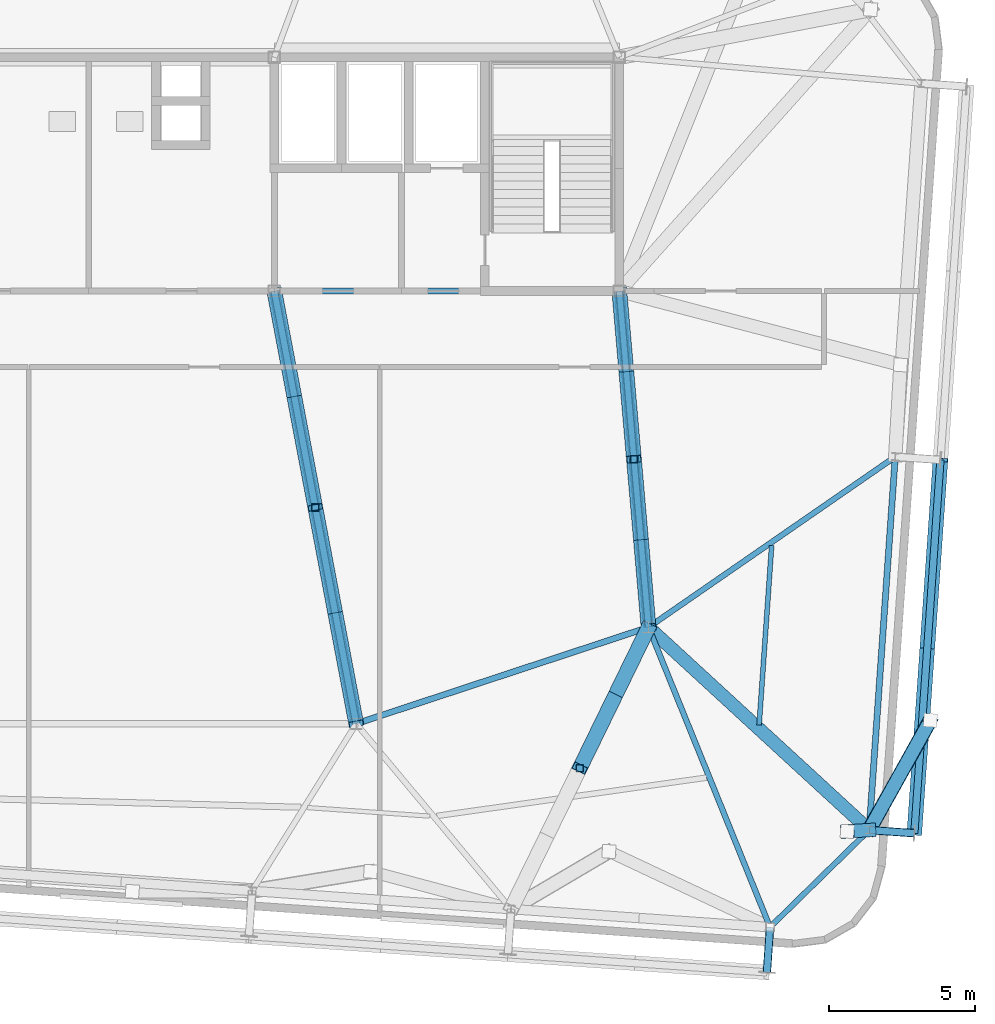
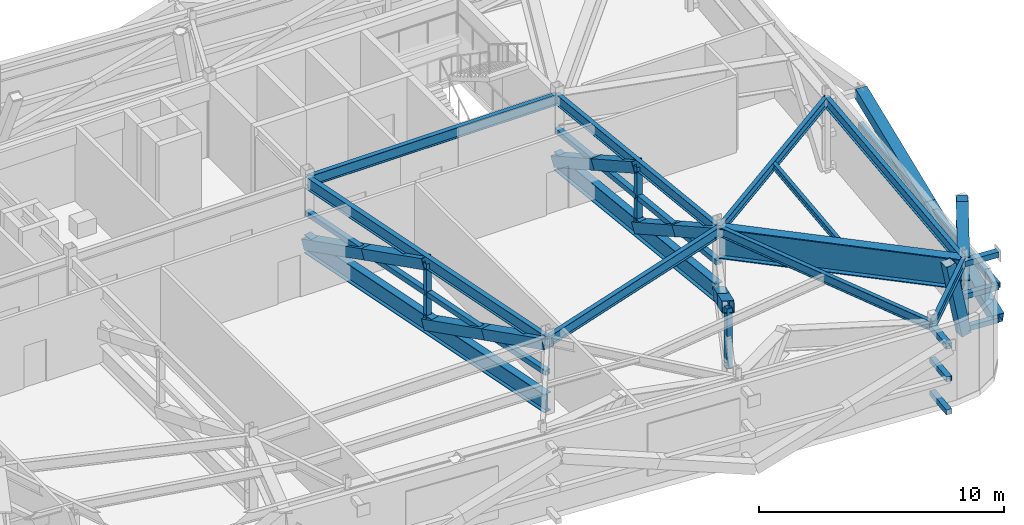
# One storey, part 10 of 24: 31 members, 11 beams.
"""IFC4 building model written with IfcOpenShell, lengths in metres."""

from ifc_helpers import new_model, si_unit, direction, frame, origin, origin_2d, place, context, subcontext, project, spatial, hollow_rectangle, i_section, extrude, source, transform, mapped, material, material_profile, profile_set, type_object, element, save


model = new_model("IFC4")

# Units and contexts
model_context = context("Model", 3, precision=1e-05, world=origin(), true_north=direction((0.0, 1.0)))
body_context = subcontext(model_context, "Body", "Model", "MODEL_VIEW")
ifc_project = project(units=[si_unit("LENGTHUNIT", "METRE"), si_unit("AREAUNIT", "SQUARE_METRE"), si_unit("VOLUMEUNIT", "CUBIC_METRE"), si_unit("PLANEANGLEUNIT", "RADIAN"), si_unit("MASSUNIT", "GRAM", prefix="KILO")], contexts=[model_context])

# Site, building, storey
site_placement = place(None, origin())
site = spatial("IfcSite", under=ifc_project, at=site_placement, CompositionType="ELEMENT")
building_placement = place(site_placement, origin())
building = spatial("IfcBuilding", under=site, at=building_placement, Name="Taldren Reach Tower", CompositionType="ELEMENT")
storey_placement = place(building_placement, frame((0.0, 0.0, 164.5)))
storey = spatial("IfcBuildingStorey", under=building, at=storey_placement, Name="L50", CompositionType="ELEMENT", Elevation=164.5)

# Beams
ifc_material_1 = material(Name="Steel Gr 350 (350PLUS)", Category="steel")
ifc_material_profile_1 = material_profile(ifc_material_1, i_section(OverallWidth=0.208984375, OverallDepth=0.532958984375, WebThickness=0.01025390625, FlangeThickness=0.015625, at=origin_2d()), Name="530UB92.4")
ifc_profile_set_1 = profile_set([ifc_material_profile_1], Name="Steel Gr 350 (350PLUS)")
beam_type_1 = type_object("IfcBeamType", Name="BM-UB530A", PredefinedType="BEAM", material=ifc_profile_set_1)
shared_shape_1 = source(origin(), body_context, "Body", "SweptSolid", [
    extrude(i_section(OverallWidth=0.208984375, OverallDepth=0.532958984375, WebThickness=0.01025390625, FlangeThickness=0.015625, at=origin_2d()), origin(), (0.0, 0.0, 1.0), 11.800048828125),
])
beam_1_placement = place(storey_placement, frame((39.199951171875, 24.0, 3.513427734375), z_axis=(1.0, 0.0, 0.0), x_axis=(0.0, 1.0, 0.0)))
element("IfcBeam", 1, at=beam_1_placement, inside=storey, type_object=beam_type_1, Name="Core-spine girder L50-SP03", PredefinedType="BEAM", context=body_context, shape_type="MappedRepresentation", body=[
    mapped(shared_shape_1, transform((0.0, 0.0, 0.0), scale=1.0)),
])
shared_shape_2 = source(origin(), body_context, "Body", "SweptSolid", [
    extrude(i_section(OverallWidth=0.208984375, OverallDepth=0.532958984375, WebThickness=0.01025390625, FlangeThickness=0.015625, at=origin_2d()), origin(), (0.0, 0.0, 1.0), 11.54345703125),
])
beam_2_placement = place(storey_placement, frame((52.0, 12.5, 3.513427734375), z_axis=(-0.086629616365, 0.996240588196, 0.0), x_axis=(-0.996240588196, -0.086629616365, 0.0)))
element("IfcBeam", 2, at=beam_2_placement, inside=storey, type_object=beam_type_1, Name="Core-spine girder L50-SP13", PredefinedType="BEAM", context=body_context, shape_type="MappedRepresentation", body=[
    mapped(shared_shape_2, transform((0.0, 0.0, 0.0), scale=1.0)),
])
shared_shape_3 = source(origin(), body_context, "Body", "SweptSolid", [
    extrude(i_section(OverallWidth=0.208984375, OverallDepth=0.532958984375, WebThickness=0.01025390625, FlangeThickness=0.015625, at=origin_2d()), origin(), (0.0, 0.0, 1.0), 10.530517578125),
])
beam_3_placement = place(storey_placement, frame((42.0, 9.199951171875, 3.513427734375), z_axis=(0.949627269203, 0.313381635689, 0.0), x_axis=(-0.313381635689, 0.949627269203, 0.0)))
element("IfcBeam", 3, at=beam_3_placement, inside=storey, type_object=beam_type_1, Name="Core-spine girder L50-SP12", PredefinedType="BEAM", context=body_context, shape_type="MappedRepresentation", body=[
    mapped(shared_shape_3, transform((0.0, 0.0, 0.0), scale=1.0)),
])
ifc_material_profile_2 = material_profile(ifc_material_1, i_section(OverallWidth=0.22802734375, OverallDepth=0.60205078125, WebThickness=0.010498046875, FlangeThickness=0.014892578125, at=origin_2d()), Name="610UB101")
ifc_profile_set_2 = profile_set([ifc_material_profile_2], Name="Steel Gr 350 (350PLUS)")
beam_type_2 = type_object("IfcBeamType", Name="BM-UB610B", PredefinedType="BEAM", material=ifc_profile_set_2)
shared_shape_4 = source(origin(), body_context, "Body", "SweptSolid", [
    extrude(i_section(OverallWidth=0.22802734375, OverallDepth=0.60205078125, WebThickness=0.010498046875, FlangeThickness=0.014892578125, at=origin_2d()), origin(), (0.0, 0.0, 1.0), 15.0625),
])
beam_4_placement = place(storey_placement, frame((39.199951171875, 24.0, 3.47900390625), z_axis=(0.185894205668, -0.982569765614, 0.0), x_axis=(0.982569765614, 0.185894205668, 0.0)))
element("IfcBeam", 4, at=beam_4_placement, inside=storey, type_object=beam_type_2, Name="Core-spine girder L50-SP15", PredefinedType="BEAM", context=body_context, shape_type="MappedRepresentation", body=[
    mapped(shared_shape_4, transform((0.0, 0.0, 0.0), scale=1.0)),
])

# Members
ifc_material_2 = material(Name="Steel Gr 450 (C450L0)", Category="steel")
ifc_material_profile_3 = material_profile(ifc_material_2, hollow_rectangle(XDim=0.27490234375, YDim=0.27490234375, WallThickness=0.00927734375, at=origin_2d()), Name="275x275x9.3SHS")
ifc_profile_set_3 = profile_set([ifc_material_profile_3], Name="Steel Gr 450 (C450L0)")
member_type_1 = type_object("IfcMemberType", Name="MB-TIE273", PredefinedType="STRUT", material=ifc_profile_set_3)
shared_shape_5 = source(origin(), body_context, "Body", "SweptSolid", [
    extrude(hollow_rectangle(XDim=0.27490234375, YDim=0.27490234375, WallThickness=0.00927734375, at=origin_2d()), origin(), (0.0, 0.0, 1.0), 1.5498046875),
])
for number, where, z_axis, x_axis, name in (
    (5, (56.155517578125, 2.2412109375, 3.5), (-0.069780535098, -0.997562367434, 0.0), (0.997562367434, -0.069780535098, 0.0), "Exoskeleton diaphragm tie strut B3-S6 L50"),
    (6, (59.54541015625, 5.562744140625, 3.5), (0.997573320145, -0.069623781384, 0.0), (0.069623781384, 0.997573320145, 0.0), "Exoskeleton diaphragm tie strut B3-E1 L50"),
):
    element("IfcMember", number, at=place(storey_placement, frame(where, z_axis=z_axis, x_axis=x_axis)), inside=storey, type_object=member_type_1, Name=name, PredefinedType="STRUT", context=body_context, shape_type="MappedRepresentation", body=[
        mapped(shared_shape_5, transform((0.0, 0.0, 0.0), scale=1.0)),
    ])
ifc_material_3 = material(Name="Steel Gr 350 (C350L0)", Category="steel")
ifc_material_profile_4 = material_profile(ifc_material_3, hollow_rectangle(XDim=0.25, YDim=0.25, WallThickness=0.010009765625, at=origin_2d()), Name="250x250x10.0SHS")
ifc_profile_set_4 = profile_set([ifc_material_profile_4], Name="Steel Gr 350 (C350L0)")
member_type_2 = type_object("IfcMemberType", Name="MB-POST250", PredefinedType="POST", material=ifc_profile_set_4)
shared_shape_6 = source(origin(), body_context, "Body", "SweptSolid", [
    extrude(hollow_rectangle(XDim=0.25, YDim=0.25, WallThickness=0.010009765625, at=origin_2d()), origin(), (0.0, 0.0, 1.0), 1.5498046875),
])
for number, where, z_axis, x_axis, name in (
    (7, (56.155517578125, 2.2412109375, 0.219970703125), (-0.069780535098, -0.997562367434, 0.0), (0.997562367434, -0.069780535098, 0.0), "Exoskeleton base diaphragm tie strut B3-S6 L50"),
    (8, (59.54541015625, 5.562744140625, 0.219970703125), (0.997573320145, -0.069623781384, 0.0), (0.069623781384, 0.997573320145, 0.0), "Exoskeleton base diaphragm tie strut B3-E1 L50"),
    (9, (56.155517578125, 2.2412109375, 1.860107421875), (-0.069780535098, -0.997562367434, 0.0), (0.997562367434, -0.069780535098, 0.0), "Exoskeleton mid-tier diaphragm tie B3-S6 L50"),
    (10, (59.54541015625, 5.562744140625, 1.860107421875), (0.997573320145, -0.069623781384, 0.0), (0.069623781384, 0.997573320145, 0.0), "Exoskeleton mid-tier diaphragm tie B3-E1 L50"),
):
    element("IfcMember", number, at=place(storey_placement, frame(where, z_axis=z_axis, x_axis=x_axis)), inside=storey, type_object=member_type_2, Name=name, PredefinedType="POST", context=body_context, shape_type="MappedRepresentation", body=[
        mapped(shared_shape_6, transform((0.0, 0.0, 0.0), scale=1.0)),
    ])
ifc_material_profile_5 = material_profile(ifc_material_1, i_section(OverallWidth=0.35009765625, OverallDepth=0.916015625, WebThickness=0.013916015625, FlangeThickness=0.028076171875, at=origin_2d()), Name="900WB257")
ifc_profile_set_5 = profile_set([ifc_material_profile_5], Name="Steel Gr 350 (350PLUS)")
member_type_3 = type_object("IfcMemberType", Name="MB-CH900", PredefinedType="CHORD", material=ifc_profile_set_5)
shared_shape_7 = source(origin(), body_context, "Body", "SweptSolid", [
    extrude(i_section(OverallWidth=0.35009765625, OverallDepth=0.916015625, WebThickness=0.013916015625, FlangeThickness=0.028076171875, at=origin_2d()), origin(), (0.0, 0.0, 1.0), 11.54345703125),
])
member_1_placement = place(storey_placement, frame((51.0, 24.0, 0.449951171875), z_axis=(0.086629616365, -0.996240588196, 0.0), x_axis=(0.996240588196, 0.086629616365, 0.0)))
element("IfcMember", 11, at=member_1_placement, inside=storey, type_object=member_type_3, Name="Outrigger Transfer Truss Bottom Chord OT-E1 L50", PredefinedType="CHORD", context=body_context, shape_type="MappedRepresentation", body=[
    mapped(shared_shape_7, transform((0.0, 0.0, 0.0), scale=1.0)),
])
shared_shape_8 = source(origin(), body_context, "Body", "SweptSolid", [
    extrude(hollow_rectangle(XDim=0.25, YDim=0.25, WallThickness=0.010009765625, at=origin_2d()), origin(), (0.0, 0.0, 1.0), 11.54345703125),
])
member_2_placement = place(storey_placement, frame((51.0, 24.0, 1.955078125), z_axis=(0.086629616365, -0.996240588196, 0.0), x_axis=(0.996240588196, 0.086629616365, 0.0)))
element("IfcMember", 12, at=member_2_placement, inside=storey, type_object=member_type_2, Name="Outrigger Transfer Truss Mid Chord OT-E1 L50", PredefinedType="POST", context=body_context, shape_type="MappedRepresentation", body=[
    mapped(shared_shape_8, transform((0.0, 0.0, 0.0), scale=1.0)),
])
shared_shape_9 = source(origin(), body_context, "Body", "SweptSolid", [
    extrude(hollow_rectangle(XDim=0.25, YDim=0.25, WallThickness=0.010009765625, at=origin_2d()), origin(), (0.0, 0.0, 1.0), 1.5048828125),
])
for number, where, z_axis, x_axis, name in (
    (13, (40.60009765625, 16.60009765625, 1.955078125), (0.0, 0.0, 1.0), (1.0, 0.0, 0.0), "Outrigger Transfer Truss Vertical Post OT-M2 L50"),
    (14, (51.5, 18.25, 1.955078125), (0.0, 0.0, 1.0), (1.0, 0.0, 0.0), "Outrigger Transfer Truss Vertical Post OT-E1 L50"),
    (15, (49.6484375, 7.680419921875, 1.955078125), (0.0, 0.0, 1.0), (1.0, 0.0, 0.0), "Outrigger Transfer Truss Vertical Post OT-E2 L50"),
):
    element("IfcMember", number, at=place(storey_placement, frame(where, z_axis=z_axis, x_axis=x_axis)), inside=storey, type_object=member_type_2, Name=name, PredefinedType="POST", context=body_context, shape_type="MappedRepresentation", body=[
        mapped(shared_shape_9, transform((0.0, 0.0, 0.0), scale=1.0)),
    ])
shared_shape_10 = source(origin(), body_context, "Body", "SweptSolid", [
    extrude(hollow_rectangle(XDim=0.25, YDim=0.25, WallThickness=0.010009765625, at=origin_2d()), origin(), (0.0, 0.0, 1.0), 1.505126953125),
])
for number, where, z_axis, x_axis, name in (
    (16, (40.60009765625, 16.60009765625, 0.449951171875), (0.0, 0.0, 1.0), (1.0, 0.0, 0.0), "Outrigger Transfer Truss Vertical Post OT-M2 L50"),
    (17, (51.5, 18.25, 0.449951171875), (0.0, 0.0, 1.0), (1.0, 0.0, 0.0), "Outrigger Transfer Truss Vertical Post OT-E1 L50"),
    (18, (49.6484375, 7.680419921875, 0.449951171875), (0.0, 0.0, 1.0), (1.0, 0.0, 0.0), "Outrigger Transfer Truss Vertical Post OT-E2 L50"),
):
    element("IfcMember", number, at=place(storey_placement, frame(where, z_axis=z_axis, x_axis=x_axis)), inside=storey, type_object=member_type_2, Name=name, PredefinedType="POST", context=body_context, shape_type="MappedRepresentation", body=[
        mapped(shared_shape_10, transform((0.0, 0.0, 0.0), scale=1.0)),
    ])
ifc_material_profile_6 = material_profile(ifc_material_2, hollow_rectangle(XDim=0.510009765625, YDim=0.510009765625, WallThickness=0.02001953125, at=origin_2d()), Name="510x510x20.0SHS")
ifc_profile_set_6 = profile_set([ifc_material_profile_6], Name="Steel Gr 450 (C450L0)")
member_type_4 = type_object("IfcMemberType", Name="MB-EXO508", PredefinedType="BRACE", material=ifc_profile_set_6)
shared_shape_11 = source(origin(), body_context, "Body", "SweptSolid", [
    extrude(hollow_rectangle(XDim=0.510009765625, YDim=0.510009765625, WallThickness=0.02001953125, at=origin_2d()), origin(), (0.0, 0.0, 1.0), 3.254638671875),
])
for number, where, z_axis, x_axis, name in (
    (19, (51.25, 21.125, 1.955078125), (0.076812991328, -0.883349400268, 0.462378201703), (0.996240588196, 0.086629616365, 0.0), "Outrigger Transfer Truss Diagonal OT-E1A L50"),
    (20, (51.75, 15.375, 1.955078125), (0.076812991328, -0.883349400268, 0.462378201703), (0.996240588196, 0.086629616365, 0.0), "Outrigger Transfer Truss Diagonal OT-E1B L50"),
):
    element("IfcMember", number, at=place(storey_placement, frame(where, z_axis=z_axis, x_axis=x_axis)), inside=storey, type_object=member_type_4, Name=name, PredefinedType="BRACE", context=body_context, shape_type="MappedRepresentation", body=[
        mapped(shared_shape_11, transform((0.0, 0.0, 0.0), scale=1.0)),
    ])
shared_shape_12 = source(origin(), body_context, "Body", "SweptSolid", [
    extrude(hollow_rectangle(XDim=0.510009765625, YDim=0.510009765625, WallThickness=0.02001953125, at=origin_2d()), origin(), (0.0, 0.0, 1.0), 3.2548828125),
])
for number, where, z_axis, x_axis, name in (
    (21, (51.0, 24.0, 0.449951171875), (0.076810327051, -0.883318761082, 0.462437174089), (0.996240588196, 0.086629616365, 0.0), "Outrigger Transfer Truss Diagonal OT-E1A L50"),
    (22, (51.5, 18.25, 0.449951171875), (0.076810327051, -0.883318761082, 0.462437174089), (0.996240588196, 0.086629616365, 0.0), "Outrigger Transfer Truss Diagonal OT-E1B L50"),
):
    element("IfcMember", number, at=place(storey_placement, frame(where, z_axis=z_axis, x_axis=x_axis)), inside=storey, type_object=member_type_4, Name=name, PredefinedType="BRACE", context=body_context, shape_type="MappedRepresentation", body=[
        mapped(shared_shape_12, transform((0.0, 0.0, 0.0), scale=1.0)),
    ])
shared_shape_13 = source(origin(), body_context, "Body", "SweptSolid", [
    extrude(i_section(OverallWidth=0.35009765625, OverallDepth=0.916015625, WebThickness=0.013916015625, FlangeThickness=0.028076171875, at=origin_2d()), origin(), (0.0, 0.0, 1.0), 15.0625),
])
member_3_placement = place(storey_placement, frame((39.199951171875, 24.0, 0.449951171875), z_axis=(0.185894205668, -0.982569765614, 0.0), x_axis=(0.982569765614, 0.185894205668, 0.0)))
element("IfcMember", 23, at=member_3_placement, inside=storey, type_object=member_type_3, Name="Outrigger Transfer Truss Bottom Chord OT-M2 L50", PredefinedType="CHORD", context=body_context, shape_type="MappedRepresentation", body=[
    mapped(shared_shape_13, transform((0.0, 0.0, 0.0), scale=1.0)),
])
shared_shape_14 = source(origin(), body_context, "Body", "SweptSolid", [
    extrude(hollow_rectangle(XDim=0.25, YDim=0.25, WallThickness=0.010009765625, at=origin_2d()), origin(), (0.0, 0.0, 1.0), 15.0625),
])
member_4_placement = place(storey_placement, frame((39.199951171875, 24.0, 1.955078125), z_axis=(0.185894205668, -0.982569765614, 0.0), x_axis=(0.982569765614, 0.185894205668, 0.0)))
element("IfcMember", 24, at=member_4_placement, inside=storey, type_object=member_type_2, Name="Outrigger Transfer Truss Mid Chord OT-M2 L50", PredefinedType="POST", context=body_context, shape_type="MappedRepresentation", body=[
    mapped(shared_shape_14, transform((0.0, 0.0, 0.0), scale=1.0)),
])
shared_shape_15 = source(origin(), body_context, "Body", "SweptSolid", [
    extrude(hollow_rectangle(XDim=0.510009765625, YDim=0.510009765625, WallThickness=0.02001953125, at=origin_2d()), origin(), (0.0, 0.0, 1.0), 4.05517578125),
])
for number, where, z_axis, x_axis, name in (
    (25, (39.199951171875, 24.0, 0.449951171875), (0.172604098422, -0.912387552001, 0.371156005153), (0.982572166, 0.185881517646, 0.0), "Outrigger Transfer Truss Diagonal OT-M2A L50"),
    (26, (39.89990234375, 20.300048828125, 1.955078125), (0.172666365519, -0.912398455174, 0.371100236074), (0.982560322582, 0.185944111195, 0.0), "Outrigger Transfer Truss Diagonal OT-M2A L50"),
    (27, (41.300048828125, 12.89990234375, 1.955078125), (0.172607955073, -0.91240793831, 0.371104093153), (0.982572166, 0.185881517646, 0.0), "Outrigger Transfer Truss Diagonal OT-M2B L50"),
):
    element("IfcMember", number, at=place(storey_placement, frame(where, z_axis=z_axis, x_axis=x_axis)), inside=storey, type_object=member_type_4, Name=name, PredefinedType="BRACE", context=body_context, shape_type="MappedRepresentation", body=[
        mapped(shared_shape_15, transform((0.0, 0.0, 0.0), scale=1.0)),
    ])
shared_shape_16 = source(origin(), body_context, "Body", "SweptSolid", [
    extrude(hollow_rectangle(XDim=0.510009765625, YDim=0.510009765625, WallThickness=0.02001953125, at=origin_2d()), origin(), (0.0, 0.0, 1.0), 4.055419921875),
])
member_5_placement = place(storey_placement, frame((40.60009765625, 16.60009765625, 0.449951171875), z_axis=(0.172594617897, -0.912397638243, 0.371135618881), x_axis=(0.982574405956, 0.185869676819, 0.0)))
element("IfcMember", 28, at=member_5_placement, inside=storey, type_object=member_type_4, Name="Outrigger Transfer Truss Diagonal OT-M2B L50", PredefinedType="BRACE", context=body_context, shape_type="MappedRepresentation", body=[
    mapped(shared_shape_16, transform((0.0, 0.0, 0.0), scale=1.0)),
])

# Beams
ifc_material_profile_7 = material_profile(ifc_material_1, i_section(OverallWidth=0.449951171875, OverallDepth=1.5, WebThickness=0.02001953125, FlangeThickness=0.0439453125, at=origin_2d()), Name="1500WB550")
ifc_profile_set_7 = profile_set([ifc_material_profile_7], Name="Steel Gr 350 (350PLUS)")
beam_type_3 = type_object("IfcBeamType", Name="BM-PG1500", PredefinedType="BEAM", material=ifc_profile_set_7)
shared_shape_17 = source(origin(), body_context, "Body", "SweptSolid", [
    extrude(i_section(OverallWidth=0.449951171875, OverallDepth=1.5, WebThickness=0.02001953125, FlangeThickness=0.0439453125, at=origin_2d()), origin(), (0.0, 0.0, 1.0), 10.249755859375),
])
beam_5_placement = place(storey_placement, frame((52.0, 12.5, 3.030029296875), z_axis=(0.736150772628, -0.676817582483, 0.0), x_axis=(0.676817582483, 0.736150772628, 0.0)))
element("IfcBeam", 29, at=beam_5_placement, inside=storey, type_object=beam_type_3, Name="Belt Truss Transfer Girder TG-B4-S6A on L50", PredefinedType="BEAM", context=body_context, shape_type="MappedRepresentation", body=[
    mapped(shared_shape_17, transform((0.0, 0.0, 0.0), scale=1.0)),
])
ifc_material_profile_8 = material_profile(ifc_material_1, i_section(OverallWidth=0.18994140625, OverallDepth=0.4541015625, WebThickness=0.008544921875, FlangeThickness=0.0126953125, at=origin_2d()), Name="460UB67.1")
ifc_profile_set_8 = profile_set([ifc_material_profile_8], Name="Steel Gr 350 (350PLUS)")
beam_type_4 = type_object("IfcBeamType", Name="SP-UB460B", PredefinedType="SPANDREL", material=ifc_profile_set_8)
shared_shape_18 = source(origin(), body_context, "Body", "SweptSolid", [
    extrude(i_section(OverallWidth=0.18994140625, OverallDepth=0.4541015625, WebThickness=0.008544921875, FlangeThickness=0.0126953125, at=origin_2d()), origin(), (0.0, 0.0, 1.0), 4.745849609375),
])
beam_6_placement = place(storey_placement, frame((56.155517578125, 2.2412109375, 3.552978515625), z_axis=(0.714271982806, 0.699868226581, 0.0), x_axis=(-0.699868226581, 0.714271982806, 0.0)))
element("IfcBeam", 30, at=beam_6_placement, inside=storey, type_object=beam_type_4, Name="Perimeter spandrel B3 S6-E1 L50", PredefinedType="SPANDREL", context=body_context, shape_type="MappedRepresentation", body=[
    mapped(shared_shape_18, transform((0.0, 0.0, 0.0), scale=1.0)),
])
ifc_material_profile_9 = material_profile(ifc_material_1, i_section(OverallWidth=0.208984375, OverallDepth=0.528076171875, WebThickness=0.009521484375, FlangeThickness=0.01318359375, at=origin_2d()), Name="530UB82.0")
ifc_profile_set_9 = profile_set([ifc_material_profile_9], Name="Steel Gr 350 (350PLUS)")
beam_type_5 = type_object("IfcBeamType", Name="SP-UB530B", PredefinedType="SPANDREL", material=ifc_profile_set_9)
shared_shape_19 = source(origin(), body_context, "Body", "SweptSolid", [
    extrude(i_section(OverallWidth=0.208984375, OverallDepth=0.528076171875, WebThickness=0.009521484375, FlangeThickness=0.01318359375, at=origin_2d()), origin(), (0.0, 0.0, 1.0), 12.80029296875),
])
beam_7_placement = place(storey_placement, frame((59.54541015625, 5.562744140625, 3.51611328125), z_axis=(0.069750549628, 0.997564464497, 0.0), x_axis=(-0.997564464497, 0.069750549628, 0.0)))
element("IfcBeam", 31, at=beam_7_placement, inside=storey, type_object=beam_type_5, Name="Perimeter spandrel B3 E1-E2 L50", PredefinedType="SPANDREL", context=body_context, shape_type="MappedRepresentation", body=[
    mapped(shared_shape_19, transform((0.0, 0.0, 0.0), scale=1.0)),
])
ifc_material_profile_10 = material_profile(ifc_material_1, i_section(OverallWidth=0.19091796875, OverallDepth=0.4599609375, WebThickness=0.010009765625, FlangeThickness=0.01611328125, at=origin_2d()), Name="460UB82.1")
ifc_profile_set_10 = profile_set([ifc_material_profile_10], Name="Steel Gr 350 (350PLUS)")
beam_type_6 = type_object("IfcBeamType", Name="BM-UB460A", PredefinedType="BEAM", material=ifc_profile_set_10)
shared_shape_20 = source(origin(), body_context, "Body", "SweptSolid", [
    extrude(i_section(OverallWidth=0.19091796875, OverallDepth=0.4599609375, WebThickness=0.010009765625, FlangeThickness=0.01611328125, at=origin_2d()), origin(), (0.0, 0.0, 1.0), 11.068359375),
])
beam_8_placement = place(storey_placement, frame((52.0, 12.5, 3.550048828125), z_axis=(0.375437319636, -0.92684778633, 0.0), x_axis=(0.92684778633, 0.375437319636, 0.0)))
element("IfcBeam", 32, at=beam_8_placement, inside=storey, type_object=beam_type_6, Name="Primary floor girder B3-S6 L50", PredefinedType="BEAM", context=body_context, shape_type="MappedRepresentation", body=[
    mapped(shared_shape_20, transform((0.0, 0.0, 0.0), scale=1.0)),
])
shared_shape_21 = source(origin(), body_context, "Body", "SweptSolid", [
    extrude(i_section(OverallWidth=0.19091796875, OverallDepth=0.4599609375, WebThickness=0.010009765625, FlangeThickness=0.01611328125, at=origin_2d()), origin(), (0.0, 0.0, 1.0), 10.25732421875),
])
beam_9_placement = place(storey_placement, frame((52.0, 12.5, 3.550048828125), z_axis=(0.822651197727, 0.568546398175, 0.0), x_axis=(-0.568546398175, 0.822651197727, 0.0)))
element("IfcBeam", 33, at=beam_9_placement, inside=storey, type_object=beam_type_6, Name="Primary floor girder B3-E2 L50", PredefinedType="BEAM", context=body_context, shape_type="MappedRepresentation", body=[
    mapped(shared_shape_21, transform((0.0, 0.0, 0.0), scale=1.0)),
])
ifc_material_4 = material(Name="Steel Gr 300 (300PLUS, 300 MPa)", Category="steel")
ifc_material_profile_11 = material_profile(ifc_material_4, i_section(OverallWidth=0.166015625, OverallDepth=0.306884765625, WebThickness=0.006591796875, FlangeThickness=0.01171875, at=origin_2d()), Name="310UB46.2")
ifc_profile_set_11 = profile_set([ifc_material_profile_11], Name="Steel Gr 300 (300PLUS, 300 MPa)")
beam_type_7 = type_object("IfcBeamType", Name="JS-UB310", PredefinedType="JOIST", material=ifc_profile_set_11)
shared_shape_22 = source(origin(), body_context, "Body", "SweptSolid", [
    extrude(i_section(OverallWidth=0.166015625, OverallDepth=0.306884765625, WebThickness=0.006591796875, FlangeThickness=0.01171875, at=origin_2d()), origin(), (0.0, 0.0, 1.0), 6.155517578125),
])
beam_10_placement = place(storey_placement, frame((55.78125, 9.1533203125, 3.62646484375), z_axis=(0.069764400024, 0.997563495969, 0.0), x_axis=(-0.997563495969, 0.069764400024, 0.0)))
element("IfcBeam", 34, at=beam_10_placement, inside=storey, type_object=beam_type_7, Name="Secondary floor joist B3 J7 L50", PredefinedType="JOIST", context=body_context, shape_type="MappedRepresentation", body=[
    mapped(shared_shape_22, transform((0.0, 0.0, 0.0), scale=1.0)),
])

# Members
shared_shape_23 = source(origin(), body_context, "Body", "SweptSolid", [
    extrude(hollow_rectangle(XDim=0.25, YDim=0.25, WallThickness=0.010009765625, at=origin_2d()), origin(), (0.0, 0.0, 1.0), 12.800048828125),
])
member_6_placement = place(storey_placement, frame((61.091552734375, 5.454833984375, 1.860107421875), z_axis=(0.069751876777, 0.9975643717, 0.0), x_axis=(-0.9975643717, 0.069751876777, 0.0)))
element("IfcMember", 35, at=member_6_placement, inside=storey, type_object=member_type_2, Name="Exoskeleton mid-height ring chord B3-E1 L50", PredefinedType="POST", context=body_context, shape_type="MappedRepresentation", body=[
    mapped(shared_shape_23, transform((0.0, 0.0, 0.0), scale=1.0)),
])
ifc_material_profile_12 = material_profile(ifc_material_2, hollow_rectangle(XDim=0.4599609375, YDim=0.4599609375, WallThickness=0.01611328125, at=origin_2d()), Name="460x460x16.0SHS")
ifc_profile_set_12 = profile_set([ifc_material_profile_12], Name="Steel Gr 450 (C450L0)")
member_type_5 = type_object("IfcMemberType", Name="MB-EXO457", PredefinedType="BRACE", material=ifc_profile_set_12)
shared_shape_24 = source(origin(), body_context, "Body", "SweptSolid", [
    extrude(hollow_rectangle(XDim=0.4599609375, YDim=0.4599609375, WallThickness=0.01611328125, at=origin_2d()), origin(), (0.0, 0.0, 1.0), 3.834228515625),
])
member_7_placement = place(storey_placement, frame((59.54541015625, 5.562744140625, 0.02001953125), z_axis=(-0.195416012726, -0.012098091371, 0.980645816876), x_axis=(0.06179111425, -0.998089103337, 0.0)))
element("IfcMember", 36, at=member_7_placement, inside=storey, type_object=member_type_5, Name="Outrigger Belt Truss Transfer Strut TS-B4-S6 L50", PredefinedType="BRACE", context=body_context, shape_type="MappedRepresentation", body=[
    mapped(shared_shape_24, transform((0.0, 0.0, 0.0), scale=1.0)),
])
shared_shape_25 = source(origin(), body_context, "Body", "SweptSolid", [
    extrude(hollow_rectangle(XDim=0.4599609375, YDim=0.4599609375, WallThickness=0.01611328125, at=origin_2d()), origin(), (0.0, 0.0, 1.0), 5.711181640625),
])
member_8_placement = place(storey_placement, frame((59.54541015625, 5.562744140625, 0.02001953125), z_axis=(0.366440451556, 0.657472485409, 0.658370204667), x_axis=(-0.873492075192, 0.486838365966, 0.0)))
element("IfcMember", 37, at=member_8_placement, inside=storey, type_object=member_type_5, Name="Outrigger Belt Truss Transfer Strut TS-B4-E1 L50", PredefinedType="BRACE", context=body_context, shape_type="MappedRepresentation", body=[
    mapped(shared_shape_25, transform((0.0, 0.0, 0.0), scale=1.0)),
])

# Beam
ifc_material_profile_13 = material_profile(ifc_material_1, i_section(OverallWidth=0.5, OverallDepth=1.199951171875, WebThickness=0.01611328125, FlangeThickness=0.0400390625, at=origin_2d()), Name="1200WB455")
ifc_profile_set_13 = profile_set([ifc_material_profile_13], Name="Steel Gr 350 (350PLUS)")
beam_type_8 = type_object("IfcBeamType", Name="BM-WB1200", PredefinedType="BEAM", material=ifc_profile_set_13)
shared_shape_26 = source(origin(), body_context, "Body", "SweptSolid", [
    extrude(i_section(OverallWidth=0.5, OverallDepth=1.199951171875, WebThickness=0.01611328125, FlangeThickness=0.0400390625, at=origin_2d()), origin(), (0.0, 0.0, 1.0), 4.298583984375),
])
beam_11_placement = place(storey_placement, frame((59.54541015625, 5.562744140625, 3.179931640625), z_axis=(0.486838365966, 0.873492075192, 0.0), x_axis=(-0.873492075192, 0.486838365966, 0.0)))
element("IfcBeam", 38, at=beam_11_placement, inside=storey, type_object=beam_type_8, Name="Belt Truss Transfer Girder TG-B4-E1A on L50", PredefinedType="BEAM", context=body_context, shape_type="MappedRepresentation", body=[
    mapped(shared_shape_26, transform((0.0, 0.0, 0.0), scale=1.0)),
])

# Members
shared_shape_27 = source(origin(), body_context, "Body", "SweptSolid", [
    extrude(hollow_rectangle(XDim=0.510009765625, YDim=0.510009765625, WallThickness=0.02001953125, at=origin_2d()), origin(), (0.0, 0.0, 1.0), 3.074951171875),
])
member_9_placement = place(storey_placement, frame((52.0, 12.5, 0.449951171875), z_axis=(-0.382369502344, -0.783714567616, 0.489474248744), x_axis=(0.898736941779, -0.438488209057, 0.0)))
element("IfcMember", 39, at=member_9_placement, inside=storey, type_object=member_type_4, Name="Outrigger Transfer Truss Diagonal OT-E2A L50", PredefinedType="BRACE", context=body_context, shape_type="MappedRepresentation", body=[
    mapped(shared_shape_27, transform((0.0, 0.0, 0.0), scale=1.0)),
])
shared_shape_28 = source(origin(), body_context, "Body", "SweptSolid", [
    extrude(hollow_rectangle(XDim=0.510009765625, YDim=0.510009765625, WallThickness=0.02001953125, at=origin_2d()), origin(), (0.0, 0.0, 1.0), 3.07470703125),
])
member_10_placement = place(storey_placement, frame((50.82421875, 10.090087890625, 1.955078125), z_axis=(-0.382408157871, -0.783714393311, 0.489444328305), x_axis=(0.898719433615, -0.438524092431, 0.0)))
element("IfcMember", 40, at=member_10_placement, inside=storey, type_object=member_type_4, Name="Outrigger Transfer Truss Diagonal OT-E2A L50", PredefinedType="BRACE", context=body_context, shape_type="MappedRepresentation", body=[
    mapped(shared_shape_28, transform((0.0, 0.0, 0.0), scale=1.0)),
])
shared_shape_29 = source(origin(), body_context, "Body", "SweptSolid", [
    extrude(hollow_rectangle(XDim=0.510009765625, YDim=0.510009765625, WallThickness=0.02001953125, at=origin_2d()), origin(), (0.0, 0.0, 1.0), 6.60693359375),
])
member_11_placement = place(storey_placement, frame((61.5380859375, 11.839111328125, 1.860107421875), z_axis=(0.067549393198, 0.966348020532, 0.248210762644), x_axis=(-0.997565791441, 0.069731569223, 0.0)))
element("IfcMember", 41, at=member_11_placement, inside=storey, type_object=member_type_4, Name="Exoskeleton Diagrid Brace B3-E1 L50", PredefinedType="BRACE", context=body_context, shape_type="MappedRepresentation", body=[
    mapped(shared_shape_29, transform((0.0, 0.0, 0.0), scale=1.0)),
])
shared_shape_30 = source(origin(), body_context, "Body", "SweptSolid", [
    extrude(hollow_rectangle(XDim=0.510009765625, YDim=0.510009765625, WallThickness=0.02001953125, at=origin_2d()), origin(), (0.0, 0.0, 1.0), 6.606689453125),
])
member_12_placement = place(storey_placement, frame((61.091552734375, 5.454833984375, 0.219970703125), z_axis=(0.067587970579, 0.966334297783, 0.248253683079), x_axis=(-0.997562951496, 0.069772185021, 0.0)))
element("IfcMember", 42, at=member_12_placement, inside=storey, type_object=member_type_4, Name="Exoskeleton Diagrid Brace B3-E1 L50", PredefinedType="BRACE", context=body_context, shape_type="MappedRepresentation", body=[
    mapped(shared_shape_30, transform((0.0, 0.0, 0.0), scale=1.0)),
])

save(model, "model.ifc")
